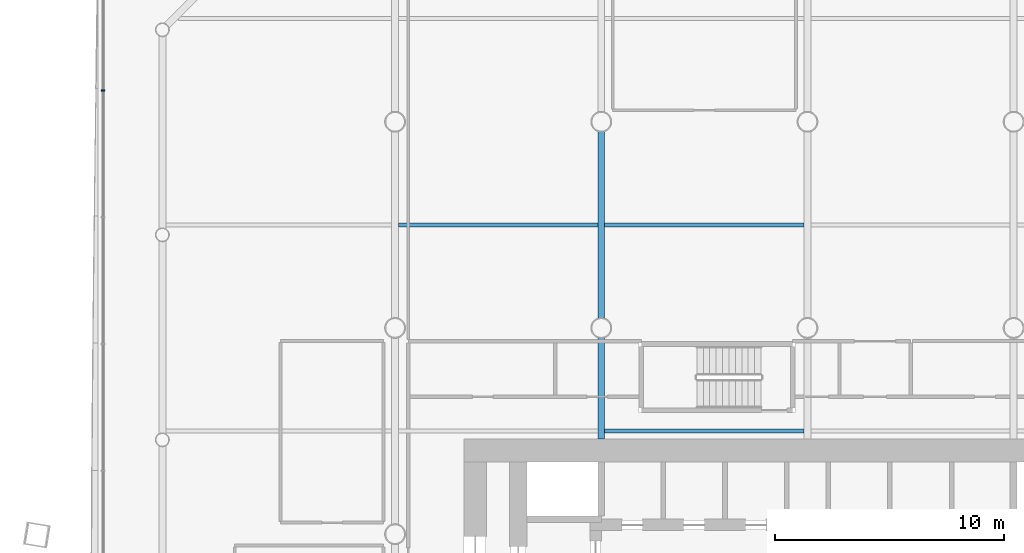
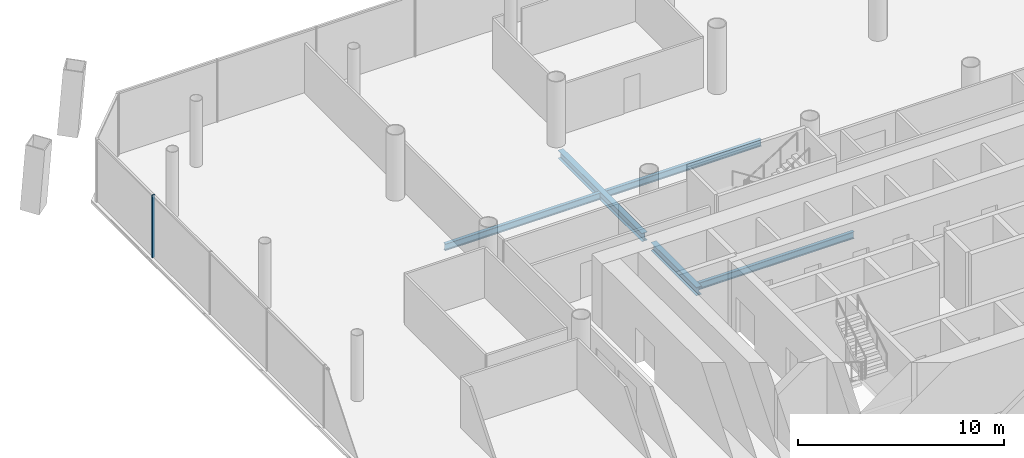
# One storey, part 9 of 23: 5 beams, 1 member, 1 element without a shape of its own.
"""IFC4 building model written with IfcOpenShell, lengths in metres."""

import ifcopenshell
import ifcopenshell.guid

model = None  # the IFC model being written
_history = None  # IfcOwnerHistory: only IFC2X3 demands one
_inside = {}  # id of a spatial element -> (the spatial element, [elements in it])
_under = {}  # id of a project, library or spatial element -> (it, [spatial elements below it])
_declared = {}  # id of a project -> (the project, [libraries it declares])
_typed = {}  # id of a type object -> (the type object, [elements of that type])
_made_of = {}  # id of a material, layer set ... -> (it, [elements and type objects made of it])


def new_model(schema):
    """Start an empty IFC model of exactly this schema.

    Asked for "IFC4X3", IfcOpenShell would pick the latest addendum, in which some entities
    have other attributes; the version numbers below select the first issue.
    IFC2X3 requires an IfcOwnerHistory on every rooted entity: one is made here for all.
    """
    global model, _history
    if schema == "IFC4X3":
        model = ifcopenshell.file(schema_version=(4, 3, 0, 0))
    else:
        model = ifcopenshell.file(schema=schema)
    _inside.clear()
    _under.clear()
    _declared.clear()
    _typed.clear()
    _made_of.clear()
    _history = None
    if model.schema == "IFC2X3":
        org = make("IfcOrganization", Name="unknown")
        user = make(
            "IfcPersonAndOrganization",
            ThePerson=make("IfcPerson", FamilyName="unknown"),
            TheOrganization=org,
        )
        app = make(
            "IfcApplication",
            ApplicationDeveloper=org,
            Version="unknown",
            ApplicationFullName="unknown",
            ApplicationIdentifier="unknown",
        )
        _history = make(
            "IfcOwnerHistory",
            OwningUser=user,
            OwningApplication=app,
            ChangeAction="ADDED",
            CreationDate=0,
        )
    return model


def make(cls, **values):
    """One entity of the class cls with the attributes given. An attribute that is None is left unset."""
    return model.create_entity(
        cls, **{name: value for name, value in values.items() if value is not None}
    )


def rooted(cls, **values):
    """An entity with a GlobalId (a new one), such as an element, a storey or a relation."""
    return make(cls, GlobalId=ifcopenshell.guid.new(), OwnerHistory=_history, **values)


def si_unit(unit_type, name, prefix=None):
    """IfcSIUnit, for example si_unit("LENGTHUNIT", "METRE", prefix="MILLI")."""
    return make("IfcSIUnit", UnitType=unit_type, Prefix=prefix, Name=name)


def assignment(units):
    """IfcUnitAssignment: the units of a project."""
    return None if units is None else make("IfcUnitAssignment", Units=units)


def point(xyz):
    """IfcCartesianPoint."""
    return None if xyz is None else make("IfcCartesianPoint", Coordinates=xyz)


def direction(xyz):
    """IfcDirection."""
    return None if xyz is None else make("IfcDirection", DirectionRatios=xyz)


def frame(location, z_axis=None, x_axis=None):
    """IfcAxis2Placement3D, a coordinate frame: its origin and axes. An axis left out is left unset."""
    return make(
        "IfcAxis2Placement3D",
        Location=point(location),
        Axis=direction(z_axis),
        RefDirection=direction(x_axis),
    )


def frame_2d(location, x_axis=None):
    """IfcAxis2Placement2D, a coordinate frame in the plane: its origin and x axis."""
    return make(
        "IfcAxis2Placement2D", Location=point(location), RefDirection=direction(x_axis)
    )


def origin():
    """The frame at (0, 0, 0) with its axes left unset."""
    return frame((0.0, 0.0, 0.0))


def origin_2d():
    """The frame at (0, 0) in the plane with its x axis left unset."""
    return frame_2d((0.0, 0.0))


def place(relative_to, where):
    """IfcLocalPlacement: puts the frame where relative to a parent placement (None: the world)."""
    return make(
        "IfcLocalPlacement", PlacementRelTo=relative_to, RelativePlacement=where
    )


def context(
    kind, dimensions, precision=None, world=None, true_north=None, identifier=None
):
    """IfcGeometricRepresentationContext, for example the 3D "Model" context."""
    return make(
        "IfcGeometricRepresentationContext",
        ContextIdentifier=identifier,
        ContextType=kind,
        CoordinateSpaceDimension=dimensions,
        Precision=precision,
        WorldCoordinateSystem=world,
        TrueNorth=true_north,
    )


def subcontext(parent, identifier, kind, view, scale=None):
    """IfcGeometricRepresentationSubContext, for example "Body" below "Model"."""
    return make(
        "IfcGeometricRepresentationSubContext",
        ContextIdentifier=identifier,
        ContextType=kind,
        ParentContext=parent,
        TargetScale=scale,
        TargetView=view,
    )


def project(units=None, contexts=None):
    """IfcProject with its units and contexts."""
    return rooted(
        "IfcProject",
        Name="project",
        RepresentationContexts=contexts,
        UnitsInContext=assignment(units),
    )


def spatial(cls, under=None, at=None, **own):
    """A site, building, storey or space (cls), placed at a placement, below another one or the project."""
    s = rooted(cls, ObjectPlacement=at, **own)
    if under is not None:
        _under.setdefault(under.id(), (under, []))[1].append(s)
    return s


def profile(cls, at=None, kind="AREA", **sizes):
    """A parametric profile (cls). Its sizes go by their IFC names, for example OverallWidth=200.0."""
    return make(cls, ProfileType=kind, Position=at, **sizes)


def rectangle(**sizes):
    """IfcRectangleProfileDef."""
    return profile("IfcRectangleProfileDef", **sizes)


def i_section(**sizes):
    """IfcIShapeProfileDef."""
    return profile("IfcIShapeProfileDef", **sizes)


def extrude(swept, where, along, depth):
    """IfcExtrudedAreaSolid: the profile swept, set in the frame where, extruded along a direction by depth."""
    return make(
        "IfcExtrudedAreaSolid",
        SweptArea=swept,
        Position=where,
        ExtrudedDirection=direction(along),
        Depth=depth,
    )


def shape(context_of_items, identifier, shape_type, items):
    """IfcShapeRepresentation: the items that make up one representation, for example the "Body"."""
    return make(
        "IfcShapeRepresentation",
        ContextOfItems=context_of_items,
        RepresentationIdentifier=identifier,
        RepresentationType=shape_type,
        Items=items,
    )


def material(Name=None, Category=None):
    """IfcMaterial."""
    return make("IfcMaterial", Name=Name, Category=Category)


def material_profile(
    of_material, cross_section, Name=None, Category=None, Priority=None
):
    """IfcMaterialProfile: a cross section and its material."""
    return make(
        "IfcMaterialProfile",
        Name=Name,
        Material=of_material,
        Profile=cross_section,
        Priority=Priority,
        Category=Category,
    )


def profile_set(profiles, Name=None, composite=None):
    """IfcMaterialProfileSet."""
    return make(
        "IfcMaterialProfileSet",
        Name=Name,
        MaterialProfiles=profiles,
        CompositeProfile=composite,
    )


def made_of(thing, what):
    """Note that an element or type object is made of a material, layer set ...; save() writes the relation."""
    if what is not None:
        _made_of.setdefault(what.id(), (what, []))[1].append(thing)
    return thing


def type_object(cls, material=None, **own):
    """A type object (cls), such as IfcWallType, which elements share."""
    return made_of(rooted(cls, **own), material)


def element(
    cls,
    number,
    at=None,
    inside=None,
    cuts=None,
    type_object=None,
    material=None,
    context=None,
    identifier="Body",
    shape_type=None,
    held_by="IfcProductDefinitionShape",
    body=None,
    shapes=None,
    **own,
):
    """One element of the class cls, such as IfcWall. Its Tag is "e" and its number.

    at: its placement. inside: the storey or other place that contains it. cuts: it is an
    opening in that element (IfcRelVoidsElement). A single representation is given by context,
    identifier, shape_type and body (its items); several are given by shapes. held_by: the class
    of the entity that holds the representations. save() writes the other relations.
    """
    e = rooted(cls, Tag="e%d" % number, ObjectPlacement=at, **own)
    if body is not None:
        shapes = [shape(context, identifier, shape_type, body)]
    if shapes is not None:
        e.Representation = make(held_by, Representations=shapes)
    if inside is not None:
        _inside.setdefault(inside.id(), (inside, []))[1].append(e)
    if cuts is not None:
        rooted(
            "IfcRelVoidsElement", RelatingBuildingElement=cuts, RelatedOpeningElement=e
        )
    if type_object is not None:
        _typed.setdefault(type_object.id(), (type_object, []))[1].append(e)
    return made_of(e, material)


def aggregate(whole, parts):
    """IfcRelAggregates: a whole, such as a stair, and the parts it consists of."""
    return rooted("IfcRelAggregates", RelatingObject=whole, RelatedObjects=parts)


def save(model, path):
    """Write the relations noted so far, then the file.

    IfcRelAggregates (storeys below a building ...), IfcRelContainedInSpatialStructure (elements
    in a storey), IfcRelDefinesByType, IfcRelAssociatesMaterial and IfcRelDeclares: one each for
    every whole, place, type object, material and project.
    """
    for whole, parts in _under.values():
        aggregate(whole, parts)
    for where, things in _inside.values():
        rooted(
            "IfcRelContainedInSpatialStructure",
            RelatedElements=things,
            RelatingStructure=where,
        )
    for kind, things in _typed.values():
        rooted("IfcRelDefinesByType", RelatedObjects=things, RelatingType=kind)
    for what, things in _made_of.values():
        rooted("IfcRelAssociatesMaterial", RelatedObjects=things, RelatingMaterial=what)
    for by, libraries in _declared.values():
        rooted("IfcRelDeclares", RelatingContext=by, RelatedDefinitions=libraries)
    model.write(path)


model = new_model("IFC4")

# Units and contexts
model_context = context("Model", 3, precision=1e-05, world=origin(), true_north=direction((0.0, 1.0)))
body_context = subcontext(model_context, "Body", "Model", "MODEL_VIEW")
ifc_project = project(units=[si_unit("LENGTHUNIT", "METRE"), si_unit("AREAUNIT", "SQUARE_METRE"), si_unit("VOLUMEUNIT", "CUBIC_METRE"), si_unit("PLANEANGLEUNIT", "RADIAN"), si_unit("MASSUNIT", "GRAM", prefix="KILO")], contexts=[model_context])

# Site, building, storey
site_placement = place(None, origin())
site = spatial("IfcSite", under=ifc_project, at=site_placement, CompositionType="ELEMENT")
building_placement = place(site_placement, origin())
building = spatial("IfcBuilding", under=site, at=building_placement, Name="Tskaro Facet Tower", CompositionType="ELEMENT")
storey_placement = place(building_placement, frame((0.0, 0.0, 14.699951171875)))
storey = spatial("IfcBuildingStorey", under=building, at=storey_placement, Name="L02", CompositionType="ELEMENT", Elevation=14.699951171875)

# Curtain wall, member
ifc_material_1 = material(Name="Bronze anodised aluminium 6063-T6", Category="aluminium")
curtain_wall_type = type_object("IfcCurtainWallType", Name="Bronze office curtain wall (FW1)", PredefinedType="NOTDEFINED", material=ifc_material_1)
curtain_wall_placement = place(storey_placement, origin())
curtain_wall = element("IfcCurtainWall", 1, at=curtain_wall_placement, inside=storey, type_object=curtain_wall_type, Name="FW1 west facet L02", PredefinedType="NOTDEFINED")
ifc_material_profile_1 = material_profile(ifc_material_1, rectangle(XDim=0.06005859375, YDim=0.159912109375, at=origin_2d()), Name="Mullion 60x160")
ifc_profile_set_1 = profile_set([ifc_material_profile_1], Name="Bronze anodised aluminium 6063-T6")
member_type = type_object("IfcMemberType", Name="FW1 bronze mullion 60x160", PredefinedType="MULLION", material=ifc_profile_set_1)
member_placement = place(storey_placement, frame((-30.75, 19.363525390625, 0.0), z_axis=(0.0, 0.0, 1.0), x_axis=(0.0, -1.0, 0.0)))
member = element("IfcMember", 2, at=member_placement, type_object=member_type, Name="FW1 west mullion 1", PredefinedType="MULLION", context=body_context, shape_type="SweptSolid", body=[
    extrude(rectangle(XDim=0.06005859375, YDim=0.159912109375, at=origin_2d()), origin(), (0.0, 0.0, 1.0), 3.699951171875),
])
aggregate(curtain_wall, [member])

# Beams
ifc_material_2 = material(Name="Steel S355J2", Category="steel")
ifc_material_profile_2 = material_profile(ifc_material_2, i_section(OverallWidth=0.300048828125, OverallDepth=0.489990234375, WebThickness=0.011962890625, FlangeThickness=0.02294921875, FilletRadius=0.027099609375, at=origin_2d()), Name="HE 500 A")
ifc_profile_set_2 = profile_set([ifc_material_profile_2], Name="Steel S355J2")
beam_type_1 = type_object("IfcBeamType", Name="HE 500 A girder", PredefinedType="BEAM", material=ifc_profile_set_2)
beam_1_placement = place(storey_placement, frame((-9.0, 4.14990234375, -0.385009765625), z_axis=(0.0, 1.0, 0.0), x_axis=(-1.0, 0.0, 0.0)))
element("IfcBeam", 3, at=beam_1_placement, inside=storey, type_object=beam_type_1, Name="HE 500 A GB3-3-1", PredefinedType="BEAM", context=body_context, shape_type="SweptSolid", body=[
    extrude(i_section(OverallWidth=0.300048828125, OverallDepth=0.489990234375, WebThickness=0.011962890625, FlangeThickness=0.02294921875, FilletRadius=0.027099609375, at=origin_2d()), origin(), (0.0, 0.0, 1.0), 4.4228515625),
])
beam_2_placement = place(storey_placement, frame((-9.0, 9.42724609375, -0.385009765625), z_axis=(0.0, 1.0, 0.0), x_axis=(-1.0, 0.0, 0.0)))
element("IfcBeam", 4, at=beam_2_placement, inside=storey, type_object=beam_type_1, Name="HE 500 A GB3-4-1", PredefinedType="BEAM", context=body_context, shape_type="SweptSolid", body=[
    extrude(i_section(OverallWidth=0.300048828125, OverallDepth=0.489990234375, WebThickness=0.011962890625, FlangeThickness=0.02294921875, FilletRadius=0.027099609375, at=origin_2d()), origin(), (0.0, 0.0, 1.0), 8.1455078125),
])
ifc_material_profile_3 = material_profile(ifc_material_2, i_section(OverallWidth=0.179931640625, OverallDepth=0.39990234375, WebThickness=0.008544921875, FlangeThickness=0.013427734375, FilletRadius=0.02099609375, at=origin_2d()), Name="IPE 400")
ifc_profile_set_3 = profile_set([ifc_material_profile_3], Name="Steel S355J2")
beam_type_2 = type_object("IfcBeamType", Name="IPE 400 secondary beam", PredefinedType="BEAM", material=ifc_profile_set_3)
for number, where, z_axis, x_axis, name in (
    (5, (-8.85009765625, 4.5, -0.33984375), (1.0, 0.0, 0.0), (0.0, 1.0, 0.0), "IPE 400 SB4a-3-1"),
    (6, (-17.85009765625, 13.5, -0.33984375), (1.0, 0.0, 0.0), (0.0, 1.0, 0.0), "IPE 400 SB5a-2-1"),
    (7, (-8.85009765625, 13.5, -0.33984375), (1.0, 0.0, 0.0), (0.0, 1.0, 0.0), "IPE 400 SB5a-3-1"),
):
    element("IfcBeam", number, at=place(storey_placement, frame(where, z_axis=z_axis, x_axis=x_axis)), inside=storey, type_object=beam_type_2, Name=name, PredefinedType="BEAM", context=body_context, shape_type="SweptSolid", body=[
        extrude(i_section(OverallWidth=0.179931640625, OverallDepth=0.39990234375, WebThickness=0.008544921875, FlangeThickness=0.013427734375, FilletRadius=0.02099609375, at=origin_2d()), origin(), (0.0, 0.0, 1.0), 8.7001953125),
    ])

save(model, "model.ifc")
